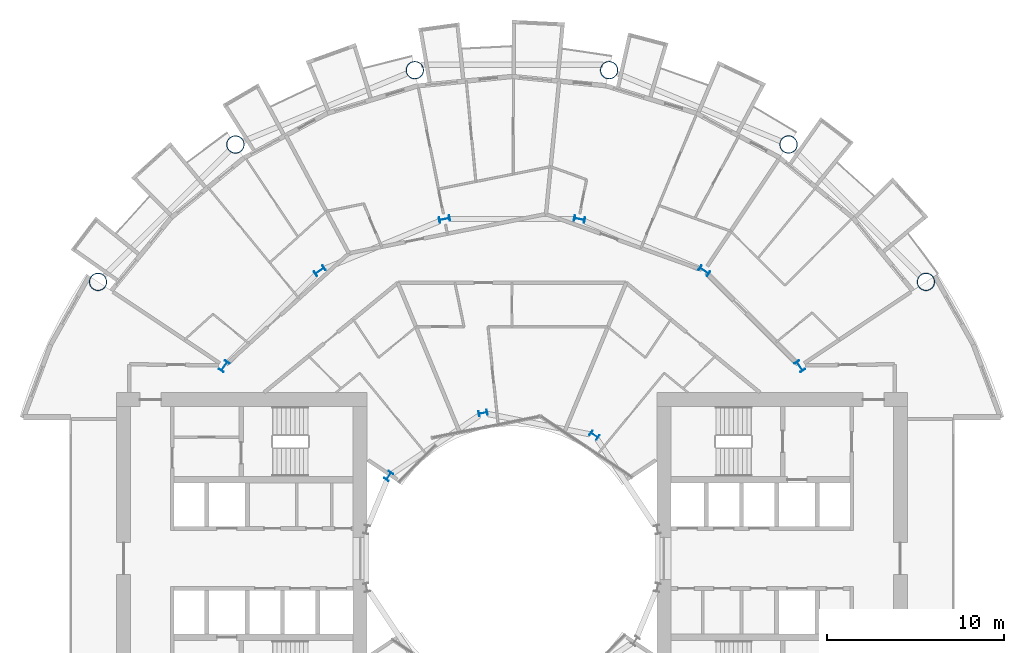
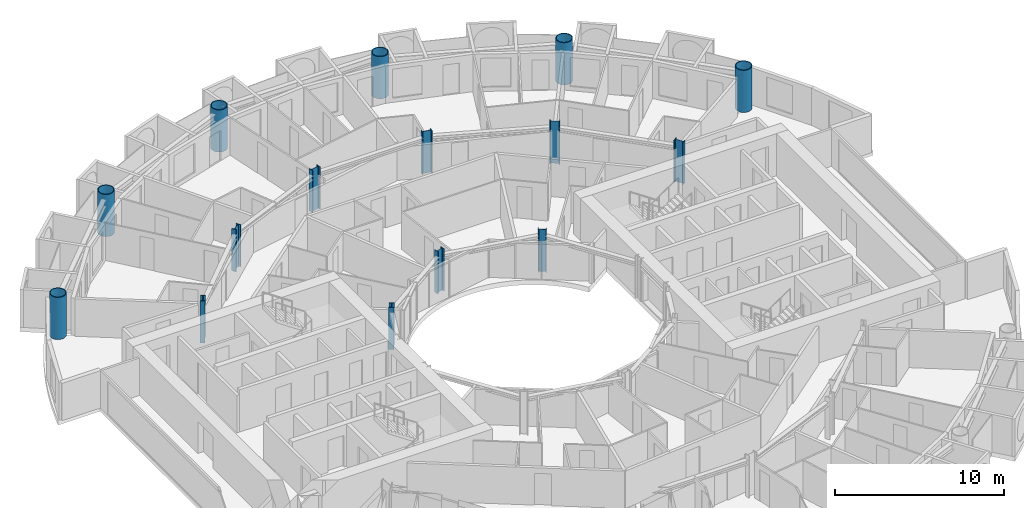
# One storey, part 3 of 26: 15 columns.
"""IFC4 building model written with IfcOpenShell, lengths in metres."""

from ifc_helpers import new_model, si_unit, direction, frame, origin, origin_2d, place, context, subcontext, project, spatial, hollow_circle, i_section, extrude, material, material_profile, profile_set, type_object, element, save


model = new_model("IFC4")

# Units and contexts
model_context = context("Model", 3, precision=1e-05, world=origin(), true_north=direction((0.0, 1.0)))
body_context = subcontext(model_context, "Body", "Model", "MODEL_VIEW")
ifc_project = project(units=[si_unit("LENGTHUNIT", "METRE"), si_unit("AREAUNIT", "SQUARE_METRE"), si_unit("VOLUMEUNIT", "CUBIC_METRE"), si_unit("PLANEANGLEUNIT", "RADIAN"), si_unit("MASSUNIT", "GRAM", prefix="KILO")], contexts=[model_context])

# Site, building, storey
site_placement = place(None, origin())
site = spatial("IfcSite", under=ifc_project, at=site_placement, CompositionType="ELEMENT")
building_placement = place(site_placement, origin())
building = spatial("IfcBuilding", under=site, at=building_placement, Name="Maasbend Ring Residences", CompositionType="ELEMENT")
storey_placement = place(building_placement, frame((0.0, 0.0, 35.0)))
storey = spatial("IfcBuildingStorey", under=building, at=storey_placement, Name="L09", CompositionType="ELEMENT", Elevation=35.0)

# Columns
ifc_material_1 = material(Name="Composite concrete-filled steel tube S460NH / C80/95", Category="concrete")
ifc_material_profile_1 = material_profile(ifc_material_1, hollow_circle(Radius=0.508056640625, WallThickness=0.050048828125, at=origin_2d()), Name="Composite tube column CHS 1016x50")
ifc_profile_set_1 = profile_set([ifc_material_profile_1], Name="Composite concrete-filled steel tube S460NH / C80/95")
column_type_1 = type_object("IfcColumnType", Name="Composite tube column CHS 1016x50", PredefinedType="COLUMN", material=ifc_profile_set_1)
for number, where, z_axis, x_axis, name in (
    (1, (23.447509765625, 15.6669921875, 0.0), (0.0, 0.0, 1.0), (1.0, 0.0, 0.0), "Outer column R2"),
    (2, (15.6669921875, 23.447509765625, 0.0), (0.0, 0.0, 1.0), (1.0, 0.0, 0.0), "Outer column R3"),
    (3, (5.50146484375, 27.658203125, 0.0), (0.0, 0.0, 1.0), (1.0, 0.0, 0.0), "Outer column R4"),
    (4, (-5.50146484375, 27.658203125, 0.0), (0.0, 0.0, 1.0), (1.0, 0.0, 0.0), "Outer column R5"),
    (5, (-15.6669921875, 23.447509765625, 0.0), (0.0, 0.0, 1.0), (1.0, 0.0, 0.0), "Outer column R6"),
    (6, (-23.447509765625, 15.6669921875, 0.0), (0.0, 0.0, 1.0), (1.0, 0.0, 0.0), "Outer column R7"),
):
    element("IfcColumn", number, at=place(storey_placement, frame(where, z_axis=z_axis, x_axis=x_axis)), inside=storey, type_object=column_type_1, Name=name, PredefinedType="COLUMN", context=body_context, shape_type="SweptSolid", body=[
        extrude(hollow_circle(Radius=0.508056640625, WallThickness=0.050048828125, at=origin_2d()), origin(), (0.0, 0.0, 1.0), 3.050048828125),
    ])
ifc_material_2 = material(Name="Steel S355J2", Category="steel")
ifc_material_profile_2 = material_profile(ifc_material_2, i_section(OverallWidth=0.300048828125, OverallDepth=0.5, WebThickness=0.014404296875, FlangeThickness=0.028076171875, FilletRadius=0.027099609375, at=origin_2d()), Name="HEB 500")
ifc_profile_set_2 = profile_set([ifc_material_profile_2], Name="Steel S355J2")
column_type_2 = type_object("IfcColumnType", Name="Steel column HEB 500", PredefinedType="COLUMN", material=ifc_profile_set_2)
for number, where, z_axis, x_axis, name in (
    (7, (4.666748046875, 6.984375, 0.0), (0.0, 0.0, 1.0), (0.55557023302, 0.831469612303, 0.0), "Well ring column R3"),
    (8, (-1.638916015625, 8.238525390625, 0.0), (0.0, 0.0, 1.0), (-0.195090322016, 0.980785280403, 0.0), "Well ring column R5"),
    (9, (-6.984375, 4.666748046875, 0.0), (0.0, 0.0, 1.0), (-0.831469612303, 0.55557023302, 0.0), "Well ring column R7"),
):
    element("IfcColumn", number, at=place(storey_placement, frame(where, z_axis=z_axis, x_axis=x_axis)), inside=storey, type_object=column_type_2, Name=name, PredefinedType="COLUMN", context=body_context, shape_type="SweptSolid", body=[
        extrude(i_section(OverallWidth=0.300048828125, OverallDepth=0.5, WebThickness=0.014404296875, FlangeThickness=0.028076171875, FilletRadius=0.027099609375, at=origin_2d()), origin(), (0.0, 0.0, 1.0), 3.050048828125),
    ])
ifc_material_3 = material(Name="Steel S460M", Category="steel")
ifc_material_profile_3 = material_profile(ifc_material_3, i_section(OverallWidth=0.304931640625, OverallDepth=0.6201171875, WebThickness=0.02099609375, FlangeThickness=0.0400390625, FilletRadius=0.027099609375, at=origin_2d()), Name="HEM 600")
ifc_profile_set_3 = profile_set([ifc_material_profile_3], Name="Steel S460M")
column_type_3 = type_object("IfcColumnType", Name="Steel column HEM 600", PredefinedType="COLUMN", material=ifc_profile_set_3)
for number, where, z_axis, x_axis, name in (
    (10, (16.296875, 10.88916015625, 0.0), (0.0, 0.0, 1.0), (0.831469612303, 0.55557023302, 0.0), "Corridor ring column R2"),
    (11, (10.88916015625, 16.296875, 0.0), (0.0, 0.0, 1.0), (0.55557023302, 0.831469612303, 0.0), "Corridor ring column R3"),
    (12, (3.82373046875, 19.223388671875, 0.0), (0.0, 0.0, 1.0), (0.195090322016, 0.980785280403, 0.0), "Corridor ring column R4"),
    (13, (-3.82373046875, 19.223388671875, 0.0), (0.0, 0.0, 1.0), (-0.195090322016, 0.980785280403, 0.0), "Corridor ring column R5"),
    (14, (-10.88916015625, 16.296875, 0.0), (0.0, 0.0, 1.0), (-0.55557023302, 0.831469612303, 0.0), "Corridor ring column R6"),
    (15, (-16.296875, 10.88916015625, 0.0), (0.0, 0.0, 1.0), (-0.831469612303, 0.55557023302, 0.0), "Corridor ring column R7"),
):
    element("IfcColumn", number, at=place(storey_placement, frame(where, z_axis=z_axis, x_axis=x_axis)), inside=storey, type_object=column_type_3, Name=name, PredefinedType="COLUMN", context=body_context, shape_type="SweptSolid", body=[
        extrude(i_section(OverallWidth=0.304931640625, OverallDepth=0.6201171875, WebThickness=0.02099609375, FlangeThickness=0.0400390625, FilletRadius=0.027099609375, at=origin_2d()), origin(), (0.0, 0.0, 1.0), 3.050048828125),
    ])

save(model, "model.ifc")
